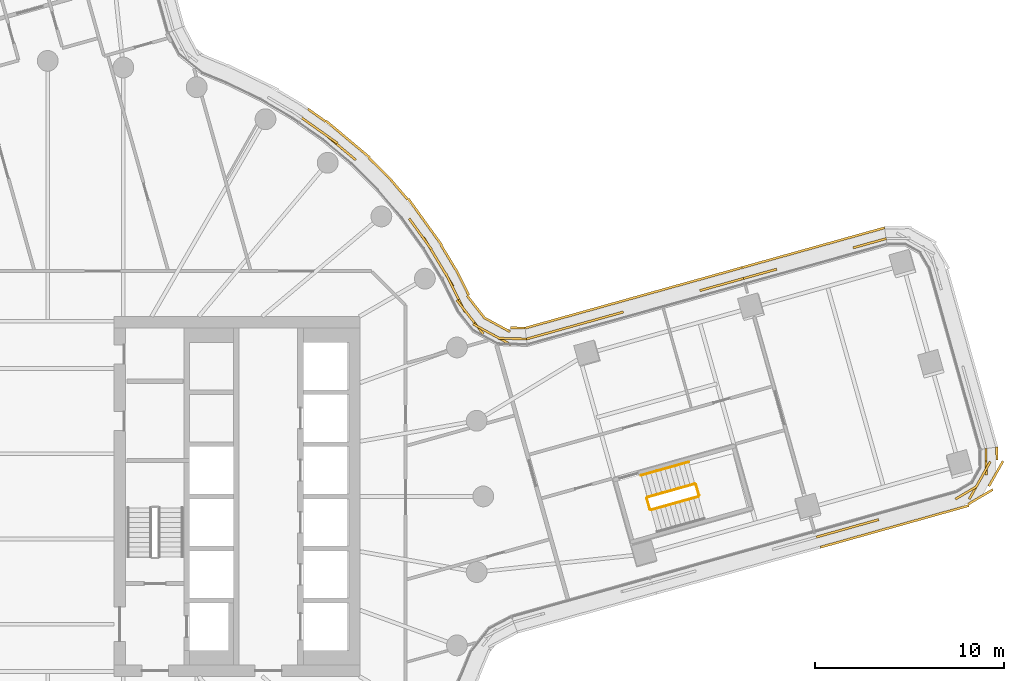
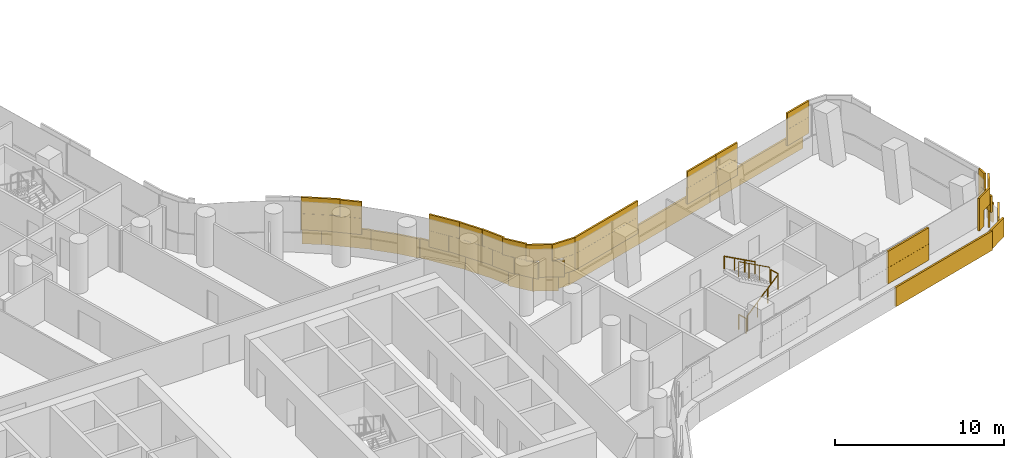
# One storey, part 28 of 30: 5 railings, 4 coverings.
"""IFC4 building model written with IfcOpenShell, lengths in metres."""

from ifc_helpers import new_model, si_unit, direction, frame, origin, origin_2d, place, context, subcontext, project, spatial, rectangle, circle, extrude, material, layer, layer_set, type_object, element, save


model = new_model("IFC4")

# Units and contexts
model_context = context("Model", 3, precision=1e-05, world=origin(), true_north=direction((0.0, 1.0)))
body_context = subcontext(model_context, "Body", "Model", "MODEL_VIEW")
ifc_project = project(units=[si_unit("LENGTHUNIT", "METRE"), si_unit("AREAUNIT", "SQUARE_METRE"), si_unit("VOLUMEUNIT", "CUBIC_METRE"), si_unit("PLANEANGLEUNIT", "RADIAN"), si_unit("MASSUNIT", "GRAM", prefix="KILO")], contexts=[model_context])

# Site, building, storey
site_placement = place(None, origin())
site = spatial("IfcSite", under=ifc_project, at=site_placement, CompositionType="ELEMENT")
building_placement = place(site_placement, origin())
building = spatial("IfcBuilding", under=site, at=building_placement, Name="Tamarind Cross Interchange Tower", CompositionType="ELEMENT")
storey_placement = place(building_placement, frame((0.0, 0.0, 91.0)))
storey = spatial("IfcBuildingStorey", under=building, at=storey_placement, Name="L21", CompositionType="ELEMENT", Elevation=91.0)

# Railings
ifc_material_1 = material(Name="Stair guard")
railing_type_1 = type_object("IfcRailingType", Name="Stair guard", PredefinedType="GUARDRAIL", material=ifc_material_1)
railing_1_placement = place(storey_placement, frame((31.859130859375, -0.713134765625, 0.17041015625)))
element("IfcRailing", 1, at=railing_1_placement, inside=storey, type_object=railing_type_1, Name="L21 ST3 stair guard 1", PredefinedType="GUARDRAIL", context=body_context, shape_type="SweptSolid", body=[
    extrude(circle(Radius=0.02392578125, at=origin_2d()), frame((0.0, 0.0, 1.076171875), z_axis=(0.805222310926, 0.22584546189, 0.54827990783), x_axis=(-0.270054815174, 0.962844949512, 0.0)), (0.0, 0.0, 1.0), 3.10888671875),
    extrude(circle(Radius=0.02099609375, at=origin_2d()), origin(), (0.0, 0.0, 1.0), 1.052001953125),
    extrude(circle(Radius=0.02099609375, at=origin_2d()), frame((0.83447265625, 0.234130859375, 0.568115234375)), (0.0, 0.0, 1.0), 1.052001953125),
    extrude(circle(Radius=0.02099609375, at=origin_2d()), frame((1.6689453125, 0.468017578125, 1.136474609375)), (0.0, 0.0, 1.0), 1.052001953125),
    extrude(circle(Radius=0.02099609375, at=origin_2d()), frame((2.50341796875, 0.7021484375, 1.70458984375)), (0.0, 0.0, 1.0), 1.052001953125),
])
railing_2_placement = place(storey_placement, frame((34.397216796875, 0.05078125, 1.875)))
element("IfcRailing", 2, at=railing_2_placement, inside=storey, type_object=railing_type_1, Name="L21 ST3 stair guard 2", PredefinedType="GUARDRAIL", context=body_context, shape_type="SweptSolid", body=[
    extrude(circle(Radius=0.02392578125, at=origin_2d()), frame((0.0, 0.0, 1.076171875), z_axis=(-0.270203447807, 0.962803249264, 0.0), x_axis=(-0.962803249264, -0.270203447807, 0.0)), (0.0, 0.0, 1.0), 0.599853515625),
    extrude(circle(Radius=0.02099609375, at=origin_2d()), origin(), (0.0, 0.0, 1.0), 1.052001953125),
    extrude(circle(Radius=0.02099609375, at=origin_2d()), frame((-0.162109375, 0.57763671875, 0.0)), (0.0, 0.0, 1.0), 1.052001953125),
])
railing_3_placement = place(storey_placement, frame((34.17333984375, 0.6630859375, 2.04541015625)))
element("IfcRailing", 3, at=railing_3_placement, inside=storey, type_object=railing_type_1, Name="L21 ST3 stair guard 3", PredefinedType="GUARDRAIL", context=body_context, shape_type="SweptSolid", body=[
    extrude(circle(Radius=0.02392578125, at=origin_2d()), frame((0.0, 0.0, 1.076171875), z_axis=(-0.805180412531, -0.225934267712, 0.548304851291), x_axis=(0.270166287835, -0.962813677155, 0.0)), (0.0, 0.0, 1.0), 3.10888671875),
    extrude(circle(Radius=0.02099609375, at=origin_2d()), origin(), (0.0, 0.0, 1.0), 1.052001953125),
    extrude(circle(Radius=0.02099609375, at=origin_2d()), frame((-0.83447265625, -0.234130859375, 0.568115234375)), (0.0, 0.0, 1.0), 1.052001953125),
    extrude(circle(Radius=0.02099609375, at=origin_2d()), frame((-1.668701171875, -0.46826171875, 1.136474609375)), (0.0, 0.0, 1.0), 1.052001953125),
    extrude(circle(Radius=0.02099609375, at=origin_2d()), frame((-2.503173828125, -0.702392578125, 1.70458984375)), (0.0, 0.0, 1.0), 1.052001953125),
])
railing_4_placement = place(storey_placement, frame((31.797607421875, -0.6787109375, 0.0)))
element("IfcRailing", 4, at=railing_4_placement, inside=storey, type_object=railing_type_1, Name="L21 ST3 stair guard 4", PredefinedType="GUARDRAIL", context=body_context, shape_type="SweptSolid", body=[
    extrude(circle(Radius=0.02392578125, at=origin_2d()), frame((0.0, 0.0, 1.076171875), z_axis=(-0.27009762292, 0.962832941944, 0.0), x_axis=(-0.962832941944, -0.27009762292, 0.0)), (0.0, 0.0, 1.0), 0.60009765625),
    extrude(circle(Radius=0.02099609375, at=origin_2d()), origin(), (0.0, 0.0, 1.0), 1.052001953125),
    extrude(circle(Radius=0.02099609375, at=origin_2d()), frame((-0.162109375, 0.577880859375, 0.0)), (0.0, 0.0, 1.0), 1.052001953125),
])
ifc_material_2 = material(Name="Stair handrail")
railing_type_2 = type_object("IfcRailingType", Name="Stair handrail", PredefinedType="HANDRAIL", material=ifc_material_2)
railing_5_placement = place(storey_placement, frame((33.849365234375, 1.818359375, 2.04541015625)))
element("IfcRailing", 5, at=railing_5_placement, inside=storey, type_object=railing_type_2, Name="L21 ST3 stair handrail 2", PredefinedType="HANDRAIL", context=body_context, shape_type="SweptSolid", body=[
    extrude(circle(Radius=0.02392578125, at=origin_2d()), frame((0.0, 0.0, 0.8759765625), z_axis=(-0.805222310926, -0.22584546189, 0.54827990783), x_axis=(0.270054815174, -0.962844949512, 0.0)), (0.0, 0.0, 1.0), 3.10888671875),
    extrude(circle(Radius=0.02099609375, at=origin_2d()), origin(), (0.0, 0.0, 1.0), 0.851806640625),
    extrude(circle(Radius=0.02099609375, at=origin_2d()), frame((-0.83447265625, -0.234130859375, 0.568115234375)), (0.0, 0.0, 1.0), 0.851806640625),
    extrude(circle(Radius=0.02099609375, at=origin_2d()), frame((-1.6689453125, -0.468017578125, 1.136474609375)), (0.0, 0.0, 1.0), 0.851806640625),
    extrude(circle(Radius=0.02099609375, at=origin_2d()), frame((-2.50341796875, -0.7021484375, 1.70458984375)), (0.0, 0.0, 1.0), 0.851806640625),
])

# Coverings
ifc_material_3 = material(Name="Terracotta", Category="masonry")
ifc_layer = layer(ifc_material_3, 0.1201171875)
ifc_layer_set = layer_set([ifc_layer], Name="Terracotta")
covering_type = type_object("IfcCoveringType", Name="Terracotta baguette screen unit", PredefinedType="MOLDING", material=ifc_layer_set)
covering_1_placement = place(storey_placement, origin())
element("IfcCovering", 6, at=covering_1_placement, inside=storey, type_object=covering_type, Name="SCR-L21-03-02", PredefinedType="MOLDING", context=body_context, shape_type="SweptSolid", body=[
    extrude(rectangle(XDim=0.66015625, YDim=0.1201171875, at=origin_2d()), frame((40.895751953125, -2.062255859375, 1.404052734375), z_axis=(0.0, 0.0, 1.0), x_axis=(0.962823871791, 0.270129953744, 0.0)), (0.0, 0.0, 1.0), 1.1669921875),
    extrude(rectangle(XDim=1.52001953125, YDim=0.1201171875, at=origin_2d()), frame((41.930908203125, -1.77197265625, 1.404052734375), z_axis=(0.0, 0.0, 1.0), x_axis=(0.962823871791, 0.270129953744, 0.0)), (0.0, 0.0, 1.0), 1.1669921875),
    extrude(rectangle(XDim=1.280029296875, YDim=0.1201171875, at=origin_2d()), frame((43.264404296875, -1.397705078125, 1.404052734375), z_axis=(0.0, 0.0, 1.0), x_axis=(0.962823871791, 0.270129953744, 0.0)), (0.0, 0.0, 1.0), 1.1669921875),
    extrude(rectangle(XDim=0.5400390625, YDim=0.1201171875, at=origin_2d()), frame((48.16748046875, -0.003173828125, 1.404052734375), z_axis=(0.0, 0.0, 1.0), x_axis=(0.860101667249, 0.510122653874, 0.0)), (0.0, 0.0, 1.0), 1.1669921875),
    extrude(rectangle(XDim=1.52001953125, YDim=0.1201171875, at=origin_2d()), frame((49.03515625, 0.519775390625, 1.404052734375), z_axis=(0.0, 0.0, 1.0), x_axis=(0.489808566738, 0.871830010925, 0.0)), (0.0, 0.0, 1.0), 1.1669921875),
    extrude(rectangle(XDim=1.400146484375, YDim=0.1201171875, at=origin_2d()), frame((49.554443359375, 1.827880859375, 1.404052734375), z_axis=(0.0, 0.0, 1.0), x_axis=(-0.011728343677, 0.999931220612, 0.0)), (0.0, 0.0, 1.0), 1.1669921875),
    extrude(rectangle(XDim=1.41015625, YDim=0.1201171875, at=origin_2d()), frame((41.2568359375, -1.9609375, 2.5791015625), z_axis=(0.0, 0.0, 1.0), x_axis=(0.962823871791, 0.270129953744, 0.0)), (0.0, 0.0, 1.0), 1.1669921875),
    extrude(rectangle(XDim=1.52001953125, YDim=0.1201171875, at=origin_2d()), frame((42.653076171875, -1.5693359375, 2.5791015625), z_axis=(0.0, 0.0, 1.0), x_axis=(0.962823871791, 0.270129953744, 0.0)), (0.0, 0.0, 1.0), 1.1669921875),
    extrude(rectangle(XDim=0.530029296875, YDim=0.1201171875, at=origin_2d()), frame((43.62548828125, -1.296630859375, 2.5791015625), z_axis=(0.0, 0.0, 1.0), x_axis=(0.962823871791, 0.270129953744, 0.0)), (0.0, 0.0, 1.0), 1.1669921875),
    extrude(rectangle(XDim=1.2900390625, YDim=0.1201171875, at=origin_2d()), frame((48.489990234375, 0.188232421875, 2.5791015625), z_axis=(0.0, 0.0, 1.0), x_axis=(0.860101667249, 0.510122653874, 0.0)), (0.0, 0.0, 1.0), 1.1669921875),
    extrude(rectangle(XDim=1.52001953125, YDim=0.1201171875, at=origin_2d()), frame((49.402587890625, 1.173583984375, 2.5791015625), z_axis=(0.0, 0.0, 1.0), x_axis=(0.489808566738, 0.871830010925, 0.0)), (0.0, 0.0, 1.0), 1.1669921875),
    extrude(rectangle(XDim=0.650146484375, YDim=0.1201171875, at=origin_2d()), frame((49.550048828125, 2.202880859375, 2.5791015625), z_axis=(0.0, 0.0, 1.0), x_axis=(-0.011728343677, 0.999931220612, 0.0)), (0.0, 0.0, 1.0), 1.1669921875),
    extrude(rectangle(XDim=0.64990234375, YDim=0.1201171875, at=origin_2d()), frame((41.118896484375, -2.595947265625, 0.00390625), z_axis=(0.0, 0.0, 1.0), x_axis=(0.962823871791, 0.270129953744, 0.0)), (0.0, 0.0, 1.0), 1.39208984375),
    extrude(rectangle(XDim=1.52001953125, YDim=0.1201171875, at=origin_2d()), frame((42.144287109375, -2.308349609375, 0.00390625), z_axis=(0.0, 0.0, 1.0), x_axis=(0.962823871791, 0.270129953744, 0.0)), (0.0, 0.0, 1.0), 1.39208984375),
    extrude(rectangle(XDim=1.52001953125, YDim=0.1201171875, at=origin_2d()), frame((43.58837890625, -1.903076171875, 0.00390625), z_axis=(0.0, 0.0, 1.0), x_axis=(0.962823871791, 0.270129953744, 0.0)), (0.0, 0.0, 1.0), 1.39208984375),
    extrude(rectangle(XDim=1.52001953125, YDim=0.1201171875, at=origin_2d()), frame((45.03271484375, -1.497802734375, 0.00390625), z_axis=(0.0, 0.0, 1.0), x_axis=(0.962823871791, 0.270129953744, 0.0)), (0.0, 0.0, 1.0), 1.39208984375),
    extrude(rectangle(XDim=1.52001953125, YDim=0.1201171875, at=origin_2d()), frame((46.476806640625, -1.0927734375, 0.00390625), z_axis=(0.0, 0.0, 1.0), x_axis=(0.962823871791, 0.270129953744, 0.0)), (0.0, 0.0, 1.0), 1.39208984375),
    extrude(rectangle(XDim=1.52001953125, YDim=0.1201171875, at=origin_2d()), frame((47.921142578125, -0.6875, 0.00390625), z_axis=(0.0, 0.0, 1.0), x_axis=(0.962823871791, 0.270129953744, 0.0)), (0.0, 0.0, 1.0), 1.39208984375),
    extrude(rectangle(XDim=1.52001953125, YDim=0.1201171875, at=origin_2d()), frame((49.25537109375, -0.025390625, 0.00390625), z_axis=(0.0, 0.0, 1.0), x_axis=(0.860101667249, 0.510122653874, 0.0)), (0.0, 0.0, 1.0), 1.39208984375),
    extrude(rectangle(XDim=1.52001953125, YDim=0.1201171875, at=origin_2d()), frame((50.0751953125, 1.19921875, 0.00390625), z_axis=(0.0, 0.0, 1.0), x_axis=(0.489808566738, 0.871830010925, 0.0)), (0.0, 0.0, 1.0), 1.39208984375),
    extrude(rectangle(XDim=0.681640625, YDim=0.1201171875, at=origin_2d()), frame((50.123291015625, 2.264404296875, 0.00390625), z_axis=(0.0, 0.0, 1.0), x_axis=(-0.011728343677, 0.999931220612, 0.0)), (0.0, 0.0, 1.0), 1.39208984375),
])
covering_2_placement = place(storey_placement, origin())
element("IfcCovering", 7, at=covering_2_placement, inside=storey, type_object=covering_type, Name="SCR-L21-05-00", PredefinedType="MOLDING", context=body_context, shape_type="SweptSolid", body=[
    extrude(rectangle(XDim=0.760009765625, YDim=0.1201171875, at=origin_2d()), frame((43.9150390625, 13.5126953125, 1.404052734375), z_axis=(0.0, 0.0, 1.0), x_axis=(-0.963187452767, -0.26883067316, 0.0)), (0.0, 0.0, 1.0), 1.1669921875),
    extrude(rectangle(XDim=1.06640625, YDim=0.1201171875, at=origin_2d()), frame((43.045166015625, 13.27001953125, 1.404052734375), z_axis=(0.0, 0.0, 1.0), x_axis=(-0.963187452767, -0.26883067316, 0.0)), (0.0, 0.0, 1.0), 1.1669921875),
    extrude(rectangle(XDim=0.75341796875, YDim=0.1201171875, at=origin_2d()), frame((38.1328125, 11.89892578125, 1.404052734375), z_axis=(0.0, 0.0, 1.0), x_axis=(-0.963187452767, -0.26883067316, 0.0)), (0.0, 0.0, 1.0), 1.1669921875),
    extrude(rectangle(XDim=1.072998046875, YDim=0.1201171875, at=origin_2d()), frame((37.262939453125, 11.656005859375, 1.404052734375), z_axis=(0.0, 0.0, 1.0), x_axis=(-0.963187452767, -0.26883067316, 0.0)), (0.0, 0.0, 1.0), 1.1669921875),
    extrude(rectangle(XDim=1.510009765625, YDim=0.1201171875, at=origin_2d()), frame((43.553955078125, 13.411865234375, 2.5791015625), z_axis=(0.0, 0.0, 1.0), x_axis=(-0.963187452767, -0.26883067316, 0.0)), (0.0, 0.0, 1.0), 1.1669921875),
    extrude(rectangle(XDim=0.31640625, YDim=0.1201171875, at=origin_2d()), frame((42.683837890625, 13.169189453125, 2.5791015625), z_axis=(0.0, 0.0, 1.0), x_axis=(-0.963187452767, -0.26883067316, 0.0)), (0.0, 0.0, 1.0), 1.1669921875),
    extrude(rectangle(XDim=1.50341796875, YDim=0.1201171875, at=origin_2d()), frame((37.771728515625, 11.798095703125, 2.5791015625), z_axis=(0.0, 0.0, 1.0), x_axis=(-0.963187452767, -0.26883067316, 0.0)), (0.0, 0.0, 1.0), 1.1669921875),
    extrude(rectangle(XDim=0.322998046875, YDim=0.1201171875, at=origin_2d()), frame((36.901611328125, 11.55517578125, 2.5791015625), z_axis=(0.0, 0.0, 1.0), x_axis=(-0.963187452767, -0.26883067316, 0.0)), (0.0, 0.0, 1.0), 1.1669921875),
    extrude(rectangle(XDim=0.760009765625, YDim=0.1201171875, at=origin_2d()), frame((43.828369140625, 14.08447265625, 0.00390625), z_axis=(0.0, 0.0, 1.0), x_axis=(-0.963187452767, -0.26883067316, 0.0)), (0.0, 0.0, 1.0), 1.39208984375),
    extrude(rectangle(XDim=1.52001953125, YDim=0.1201171875, at=origin_2d()), frame((42.74951171875, 13.783447265625, 0.00390625), z_axis=(0.0, 0.0, 1.0), x_axis=(-0.963187452767, -0.26883067316, 0.0)), (0.0, 0.0, 1.0), 1.39208984375),
    extrude(rectangle(XDim=1.52001953125, YDim=0.1201171875, at=origin_2d()), frame((41.304931640625, 13.380126953125, 0.00390625), z_axis=(0.0, 0.0, 1.0), x_axis=(-0.963187452767, -0.26883067316, 0.0)), (0.0, 0.0, 1.0), 1.39208984375),
    extrude(rectangle(XDim=1.52001953125, YDim=0.1201171875, at=origin_2d()), frame((39.860107421875, 12.976806640625, 0.00390625), z_axis=(0.0, 0.0, 1.0), x_axis=(-0.963187452767, -0.26883067316, 0.0)), (0.0, 0.0, 1.0), 1.39208984375),
    extrude(rectangle(XDim=1.52001953125, YDim=0.1201171875, at=origin_2d()), frame((38.415283203125, 12.57373046875, 0.00390625), z_axis=(0.0, 0.0, 1.0), x_axis=(-0.963187452767, -0.26883067316, 0.0)), (0.0, 0.0, 1.0), 1.39208984375),
    extrude(rectangle(XDim=1.068359375, YDim=0.1201171875, at=origin_2d()), frame((37.18798828125, 12.231201171875, 0.00390625), z_axis=(0.0, 0.0, 1.0), x_axis=(-0.963187452767, -0.26883067316, 0.0)), (0.0, 0.0, 1.0), 1.39208984375),
])
covering_3_placement = place(storey_placement, origin())
element("IfcCovering", 8, at=covering_3_placement, inside=storey, type_object=covering_type, Name="SCR-L21-05-01", PredefinedType="MOLDING", context=body_context, shape_type="SweptSolid", body=[
    extrude(rectangle(XDim=0.447021484375, YDim=0.1201171875, at=origin_2d()), frame((36.54052734375, 11.454345703125, 1.404052734375), z_axis=(0.0, 0.0, 1.0), x_axis=(-0.963187452767, -0.26883067316, 0.0)), (0.0, 0.0, 1.0), 1.1669921875),
    extrude(rectangle(XDim=1.52001953125, YDim=0.1201171875, at=origin_2d()), frame((35.607666015625, 11.194091796875, 1.404052734375), z_axis=(0.0, 0.0, 1.0), x_axis=(-0.963187452767, -0.26883067316, 0.0)), (0.0, 0.0, 1.0), 1.1669921875),
    extrude(rectangle(XDim=0.47265625, YDim=0.1201171875, at=origin_2d()), frame((34.662353515625, 10.930419921875, 1.404052734375), z_axis=(0.0, 0.0, 1.0), x_axis=(-0.963187452767, -0.26883067316, 0.0)), (0.0, 0.0, 1.0), 1.1669921875),
    extrude(rectangle(XDim=1.347412109375, YDim=0.1201171875, at=origin_2d()), frame((29.750244140625, 9.559326171875, 1.404052734375), z_axis=(0.0, 0.0, 1.0), x_axis=(-0.963187452767, -0.26883067316, 0.0)), (0.0, 0.0, 1.0), 1.1669921875),
    extrude(rectangle(XDim=1.52001953125, YDim=0.1201171875, at=origin_2d()), frame((28.3837890625, 9.177978515625, 1.404052734375), z_axis=(0.0, 0.0, 1.0), x_axis=(-0.963187452767, -0.26883067316, 0.0)), (0.0, 0.0, 1.0), 1.1669921875),
    extrude(rectangle(XDim=1.52001953125, YDim=0.1201171875, at=origin_2d()), frame((26.93896484375, 8.774658203125, 1.404052734375), z_axis=(0.0, 0.0, 1.0), x_axis=(-0.963187452767, -0.26883067316, 0.0)), (0.0, 0.0, 1.0), 1.1669921875),
    extrude(rectangle(XDim=0.9814453125, YDim=0.1201171875, at=origin_2d()), frame((25.74853515625, 8.4423828125, 1.404052734375), z_axis=(0.0, 0.0, 1.0), x_axis=(-0.963187452767, -0.26883067316, 0.0)), (0.0, 0.0, 1.0), 1.1669921875),
    extrude(rectangle(XDim=1.197021484375, YDim=0.1201171875, at=origin_2d()), frame((36.17919921875, 11.353759765625, 2.5791015625), z_axis=(0.0, 0.0, 1.0), x_axis=(-0.963187452767, -0.26883067316, 0.0)), (0.0, 0.0, 1.0), 1.1669921875),
    extrude(rectangle(XDim=1.22265625, YDim=0.1201171875, at=origin_2d()), frame((35.023681640625, 11.031005859375, 2.5791015625), z_axis=(0.0, 0.0, 1.0), x_axis=(-0.963187452767, -0.26883067316, 0.0)), (0.0, 0.0, 1.0), 1.1669921875),
    extrude(rectangle(XDim=0.597412109375, YDim=0.1201171875, at=origin_2d()), frame((30.111328125, 9.66015625, 2.5791015625), z_axis=(0.0, 0.0, 1.0), x_axis=(-0.963187452767, -0.26883067316, 0.0)), (0.0, 0.0, 1.0), 1.1669921875),
    extrude(rectangle(XDim=1.52001953125, YDim=0.1201171875, at=origin_2d()), frame((29.10595703125, 9.37939453125, 2.5791015625), z_axis=(0.0, 0.0, 1.0), x_axis=(-0.963187452767, -0.26883067316, 0.0)), (0.0, 0.0, 1.0), 1.1669921875),
    extrude(rectangle(XDim=1.52001953125, YDim=0.1201171875, at=origin_2d()), frame((27.661376953125, 8.976318359375, 2.5791015625), z_axis=(0.0, 0.0, 1.0), x_axis=(-0.963187452767, -0.26883067316, 0.0)), (0.0, 0.0, 1.0), 1.1669921875),
    extrude(rectangle(XDim=1.52001953125, YDim=0.1201171875, at=origin_2d()), frame((26.216552734375, 8.572998046875, 2.5791015625), z_axis=(0.0, 0.0, 1.0), x_axis=(-0.963187452767, -0.26883067316, 0.0)), (0.0, 0.0, 1.0), 1.1669921875),
    extrude(rectangle(XDim=0.2314453125, YDim=0.1201171875, at=origin_2d()), frame((25.387451171875, 8.341552734375, 2.5791015625), z_axis=(0.0, 0.0, 1.0), x_axis=(-0.963187452767, -0.26883067316, 0.0)), (0.0, 0.0, 1.0), 1.1669921875),
    extrude(rectangle(XDim=0.45166015625, YDim=0.1201171875, at=origin_2d()), frame((36.4560546875, 12.02685546875, 0.00390625), z_axis=(0.0, 0.0, 1.0), x_axis=(-0.963187452767, -0.26883067316, 0.0)), (0.0, 0.0, 1.0), 1.39208984375),
    extrude(rectangle(XDim=1.52001953125, YDim=0.1201171875, at=origin_2d()), frame((35.525634765625, 11.76708984375, 0.00390625), z_axis=(0.0, 0.0, 1.0), x_axis=(-0.963187452767, -0.26883067316, 0.0)), (0.0, 0.0, 1.0), 1.39208984375),
    extrude(rectangle(XDim=1.52001953125, YDim=0.1201171875, at=origin_2d()), frame((34.080810546875, 11.364013671875, 0.00390625), z_axis=(0.0, 0.0, 1.0), x_axis=(-0.963187452767, -0.26883067316, 0.0)), (0.0, 0.0, 1.0), 1.39208984375),
    extrude(rectangle(XDim=1.52001953125, YDim=0.1201171875, at=origin_2d()), frame((32.63623046875, 10.960693359375, 0.00390625), z_axis=(0.0, 0.0, 1.0), x_axis=(-0.963187452767, -0.26883067316, 0.0)), (0.0, 0.0, 1.0), 1.39208984375),
    extrude(rectangle(XDim=1.52001953125, YDim=0.1201171875, at=origin_2d()), frame((31.19140625, 10.557373046875, 0.00390625), z_axis=(0.0, 0.0, 1.0), x_axis=(-0.963187452767, -0.26883067316, 0.0)), (0.0, 0.0, 1.0), 1.39208984375),
    extrude(rectangle(XDim=1.52001953125, YDim=0.1201171875, at=origin_2d()), frame((29.74658203125, 10.154296875, 0.00390625), z_axis=(0.0, 0.0, 1.0), x_axis=(-0.963187452767, -0.26883067316, 0.0)), (0.0, 0.0, 1.0), 1.39208984375),
    extrude(rectangle(XDim=1.52001953125, YDim=0.1201171875, at=origin_2d()), frame((28.3017578125, 9.7509765625, 0.00390625), z_axis=(0.0, 0.0, 1.0), x_axis=(-0.963187452767, -0.26883067316, 0.0)), (0.0, 0.0, 1.0), 1.39208984375),
    extrude(rectangle(XDim=1.52001953125, YDim=0.1201171875, at=origin_2d()), frame((26.85693359375, 9.34765625, 0.00390625), z_axis=(0.0, 0.0, 1.0), x_axis=(-0.963187452767, -0.26883067316, 0.0)), (0.0, 0.0, 1.0), 1.39208984375),
    extrude(rectangle(XDim=0.9697265625, YDim=0.1201171875, at=origin_2d()), frame((25.67724609375, 9.018310546875, 0.00390625), z_axis=(0.0, 0.0, 1.0), x_axis=(-0.963187452767, -0.26883067316, 0.0)), (0.0, 0.0, 1.0), 1.39208984375),
])
covering_4_placement = place(storey_placement, origin())
element("IfcCovering", 9, at=covering_4_placement, inside=storey, type_object=covering_type, Name="SCR-L21-06-00", PredefinedType="MOLDING", context=body_context, shape_type="SweptSolid", body=[
    extrude(rectangle(XDim=0.760009765625, YDim=0.1201171875, at=origin_2d()), frame((24.90576171875, 8.322509765625, 1.404052734375), z_axis=(0.0, 0.0, 1.0), x_axis=(-0.999588199319, 0.028695501065, 0.0)), (0.0, 0.0, 1.0), 1.1669921875),
    extrude(rectangle(XDim=1.52001953125, YDim=0.1201171875, at=origin_2d()), frame((23.788818359375, 8.3828125, 1.404052734375), z_axis=(0.0, 0.0, 1.0), x_axis=(-0.878550783095, 0.477648952184, 0.0)), (0.0, 0.0, 1.0), 1.1669921875),
    extrude(rectangle(XDim=1.52001953125, YDim=0.1201171875, at=origin_2d()), frame((22.53515625, 9.175048828125, 1.404052734375), z_axis=(0.0, 0.0, 1.0), x_axis=(-0.617175455423, 0.786825557048, 0.0)), (0.0, 0.0, 1.0), 1.1669921875),
    extrude(rectangle(XDim=1.52001953125, YDim=0.1201171875, at=origin_2d()), frame((21.698974609375, 10.411865234375, 1.404052734375), z_axis=(0.0, 0.0, 1.0), x_axis=(-0.443459913186, 0.896294206941, 0.0)), (0.0, 0.0, 1.0), 1.1669921875),
    extrude(rectangle(XDim=1.52001953125, YDim=0.1201171875, at=origin_2d()), frame((21.017578125, 11.747314453125, 1.404052734375), z_axis=(0.0, 0.0, 1.0), x_axis=(-0.515577308909, 0.856843065292, 0.0)), (0.0, 0.0, 1.0), 1.1669921875),
    extrude(rectangle(XDim=1.52001953125, YDim=0.1201171875, at=origin_2d()), frame((20.244140625, 13.03271484375, 1.404052734375), z_axis=(0.0, 0.0, 1.0), x_axis=(-0.515577308909, 0.856843065292, 0.0)), (0.0, 0.0, 1.0), 1.1669921875),
    extrude(rectangle(XDim=1.26220703125, YDim=0.1201171875, at=origin_2d()), frame((19.4580078125, 14.1611328125, 1.404052734375), z_axis=(0.0, 0.0, 1.0), x_axis=(-0.584573890505, 0.811340475102, 0.0)), (0.0, 0.0, 1.0), 1.1669921875),
    extrude(rectangle(XDim=0.5576171875, YDim=0.1201171875, at=origin_2d()), frame((16.05419921875, 17.94384765625, 1.404052734375), z_axis=(0.0, 0.0, 1.0), x_axis=(-0.765858396687, 0.643009266048, 0.0)), (0.0, 0.0, 1.0), 1.1669921875),
    extrude(rectangle(XDim=1.52001953125, YDim=0.1201171875, at=origin_2d()), frame((15.27001953125, 18.60205078125, 1.404052734375), z_axis=(0.0, 0.0, 1.0), x_axis=(-0.765858396687, 0.643009266048, 0.0)), (0.0, 0.0, 1.0), 1.1669921875),
    extrude(rectangle(XDim=1.52001953125, YDim=0.1201171875, at=origin_2d()), frame((14.08251953125, 19.51611328125, 1.404052734375), z_axis=(0.0, 0.0, 1.0), x_axis=(-0.816341886298, 0.577568978284, 0.0)), (0.0, 0.0, 1.0), 1.1669921875),
    extrude(rectangle(XDim=0.068603515625, YDim=0.1201171875, at=origin_2d()), frame((13.4462890625, 19.96630859375, 1.404052734375), z_axis=(0.0, 0.0, 1.0), x_axis=(-0.816341886298, 0.577568978284, 0.0)), (0.0, 0.0, 1.0), 1.1669921875),
    extrude(rectangle(XDim=1.510009765625, YDim=0.1201171875, at=origin_2d()), frame((24.531005859375, 8.333251953125, 2.5791015625), z_axis=(0.0, 0.0, 1.0), x_axis=(-0.999588199319, 0.028695501065, 0.0)), (0.0, 0.0, 1.0), 1.1669921875),
    extrude(rectangle(XDim=1.52001953125, YDim=0.1201171875, at=origin_2d()), frame((23.1298828125, 8.740966796875, 2.5791015625), z_axis=(0.0, 0.0, 1.0), x_axis=(-0.878550783095, 0.477648952184, 0.0)), (0.0, 0.0, 1.0), 1.1669921875),
    extrude(rectangle(XDim=1.52001953125, YDim=0.1201171875, at=origin_2d()), frame((22.072265625, 9.76513671875, 2.5791015625), z_axis=(0.0, 0.0, 1.0), x_axis=(-0.617175455423, 0.786825557048, 0.0)), (0.0, 0.0, 1.0), 1.1669921875),
    extrude(rectangle(XDim=1.52001953125, YDim=0.1201171875, at=origin_2d()), frame((21.366455078125, 11.083984375, 2.5791015625), z_axis=(0.0, 0.0, 1.0), x_axis=(-0.443459913186, 0.896294206941, 0.0)), (0.0, 0.0, 1.0), 1.1669921875),
    extrude(rectangle(XDim=1.52001953125, YDim=0.1201171875, at=origin_2d()), frame((20.630859375, 12.389892578125, 2.5791015625), z_axis=(0.0, 0.0, 1.0), x_axis=(-0.515577308909, 0.856843065292, 0.0)), (0.0, 0.0, 1.0), 1.1669921875),
    extrude(rectangle(XDim=1.52001953125, YDim=0.1201171875, at=origin_2d()), frame((19.82421875, 13.6533203125, 2.5791015625), z_axis=(0.0, 0.0, 1.0), x_axis=(-0.584573890505, 0.811340475102, 0.0)), (0.0, 0.0, 1.0), 1.1669921875),
    extrude(rectangle(XDim=0.51220703125, YDim=0.1201171875, at=origin_2d()), frame((19.239013671875, 14.465576171875, 2.5791015625), z_axis=(0.0, 0.0, 1.0), x_axis=(-0.584573890505, 0.811340475102, 0.0)), (0.0, 0.0, 1.0), 1.1669921875),
    extrude(rectangle(XDim=1.3076171875, YDim=0.1201171875, at=origin_2d()), frame((15.76708984375, 18.18505859375, 2.5791015625), z_axis=(0.0, 0.0, 1.0), x_axis=(-0.765858396687, 0.643009266048, 0.0)), (0.0, 0.0, 1.0), 1.1669921875),
    extrude(rectangle(XDim=1.52001953125, YDim=0.1201171875, at=origin_2d()), frame((14.694580078125, 19.0830078125, 2.5791015625), z_axis=(0.0, 0.0, 1.0), x_axis=(-0.816341886298, 0.577568978284, 0.0)), (0.0, 0.0, 1.0), 1.1669921875),
    extrude(rectangle(XDim=0.818603515625, YDim=0.1201171875, at=origin_2d()), frame((13.75244140625, 19.749755859375, 2.5791015625), z_axis=(0.0, 0.0, 1.0), x_axis=(-0.816341886298, 0.577568978284, 0.0)), (0.0, 0.0, 1.0), 1.1669921875),
    extrude(rectangle(XDim=0.760009765625, YDim=0.1201171875, at=origin_2d()), frame((24.830322265625, 8.89892578125, 0.00390625), z_axis=(0.0, 0.0, 1.0), x_axis=(-0.999588199319, 0.028695501065, 0.0)), (0.0, 0.0, 1.0), 1.39208984375),
    extrude(rectangle(XDim=1.52001953125, YDim=0.1201171875, at=origin_2d()), frame((23.74560546875, 9.0595703125, 0.00390625), z_axis=(0.0, 0.0, 1.0), x_axis=(-0.878550783095, 0.477648952184, 0.0)), (0.0, 0.0, 1.0), 1.39208984375),
    extrude(rectangle(XDim=1.52001953125, YDim=0.1201171875, at=origin_2d()), frame((22.6171875, 10.00048828125, 0.00390625), z_axis=(0.0, 0.0, 1.0), x_axis=(-0.617175455423, 0.786825557048, 0.0)), (0.0, 0.0, 1.0), 1.39208984375),
    extrude(rectangle(XDim=1.52001953125, YDim=0.1201171875, at=origin_2d()), frame((21.8955078125, 11.30908203125, 0.00390625), z_axis=(0.0, 0.0, 1.0), x_axis=(-0.443459913186, 0.896294206941, 0.0)), (0.0, 0.0, 1.0), 1.39208984375),
    extrude(rectangle(XDim=1.52001953125, YDim=0.1201171875, at=origin_2d()), frame((21.1640625, 12.617431640625, 0.00390625), z_axis=(0.0, 0.0, 1.0), x_axis=(-0.515577308909, 0.856843065292, 0.0)), (0.0, 0.0, 1.0), 1.39208984375),
    extrude(rectangle(XDim=1.52001953125, YDim=0.1201171875, at=origin_2d()), frame((20.364501953125, 13.88525390625, 0.00390625), z_axis=(0.0, 0.0, 1.0), x_axis=(-0.584573890505, 0.811340475102, 0.0)), (0.0, 0.0, 1.0), 1.39208984375),
    extrude(rectangle(XDim=1.52001953125, YDim=0.1201171875, at=origin_2d()), frame((19.487548828125, 15.102294921875, 0.00390625), z_axis=(0.0, 0.0, 1.0), x_axis=(-0.584573890505, 0.811340475102, 0.0)), (0.0, 0.0, 1.0), 1.39208984375),
    extrude(rectangle(XDim=1.52001953125, YDim=0.1201171875, at=origin_2d()), frame((18.5234375, 16.250732421875, 0.00390625), z_axis=(0.0, 0.0, 1.0), x_axis=(-0.64957723968, 0.760295606781, 0.0)), (0.0, 0.0, 1.0), 1.39208984375),
    extrude(rectangle(XDim=1.52001953125, YDim=0.1201171875, at=origin_2d()), frame((17.50048828125, 17.345947265625, 0.00390625), z_axis=(0.0, 0.0, 1.0), x_axis=(-0.710143317658, 0.704057148523, 0.0)), (0.0, 0.0, 1.0), 1.39208984375),
    extrude(rectangle(XDim=1.52001953125, YDim=0.1201171875, at=origin_2d()), frame((16.42041015625, 18.385986328125, 0.00390625), z_axis=(0.0, 0.0, 1.0), x_axis=(-0.765858396687, 0.643009266048, 0.0)), (0.0, 0.0, 1.0), 1.39208984375),
    extrude(rectangle(XDim=1.52001953125, YDim=0.1201171875, at=origin_2d()), frame((15.271484375, 19.350341796875, 0.00390625), z_axis=(0.0, 0.0, 1.0), x_axis=(-0.765858396687, 0.643009266048, 0.0)), (0.0, 0.0, 1.0), 1.39208984375),
    extrude(rectangle(XDim=1.14990234375, YDim=0.1201171875, at=origin_2d()), frame((14.2119140625, 20.127685546875, 0.00390625), z_axis=(0.0, 0.0, 1.0), x_axis=(-0.816341886298, 0.577568978284, 0.0)), (0.0, 0.0, 1.0), 1.39208984375),
])

save(model, "model.ifc")
